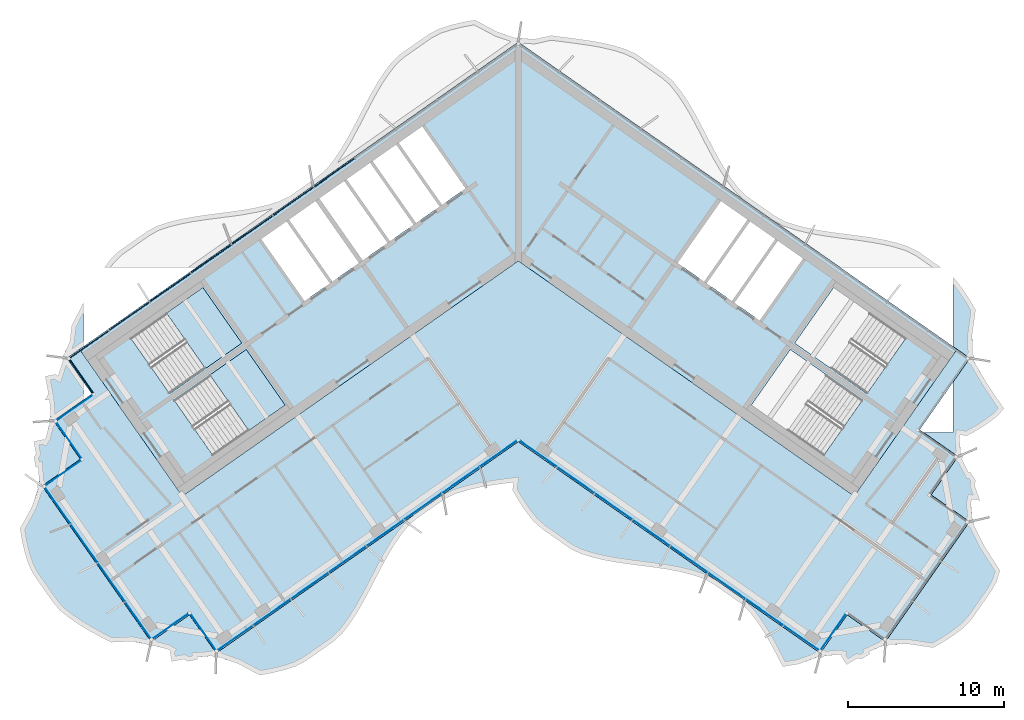
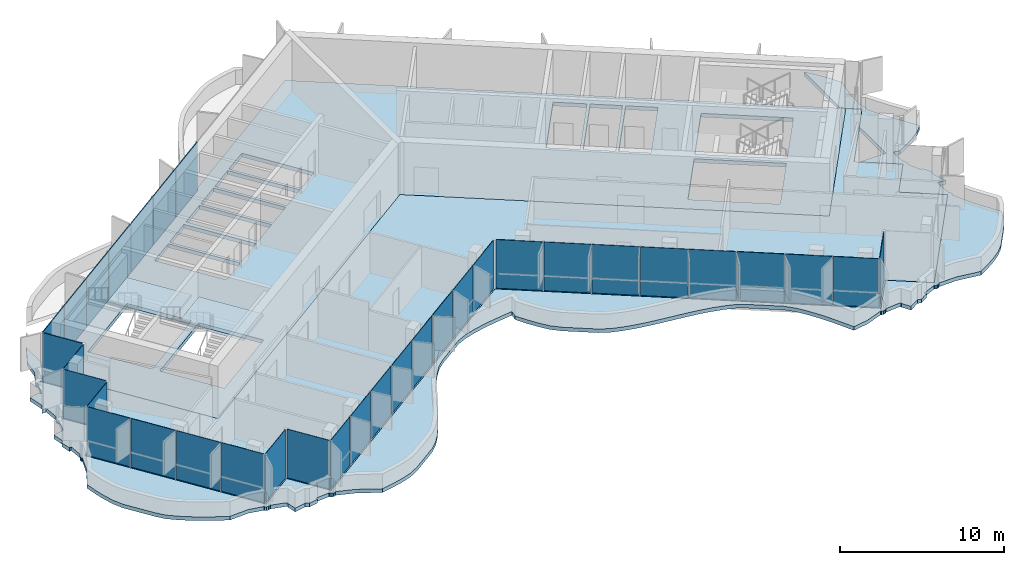
# One storey, part 7 of 18: 34 plates, 5 slabs, 4 elements without a shape of their own.
"""IFC4 building model written with IfcOpenShell, lengths in metres."""

from ifc_helpers import new_model, si_unit, direction, frame, origin, origin_2d, place, context, subcontext, project, spatial, polyline, rectangle, outline, extrude, material, layer, layer_set, type_object, element, aggregate, save


model = new_model("IFC4")

# Units and contexts
model_context = context("Model", 3, precision=1e-05, world=origin(), true_north=direction((0.0, 1.0)))
body_context = subcontext(model_context, "Body", "Model", "MODEL_VIEW")
ifc_project = project(units=[si_unit("LENGTHUNIT", "METRE"), si_unit("AREAUNIT", "SQUARE_METRE"), si_unit("VOLUMEUNIT", "CUBIC_METRE"), si_unit("PLANEANGLEUNIT", "RADIAN"), si_unit("MASSUNIT", "GRAM", prefix="KILO")], contexts=[model_context])

# Site, building, storey
site_placement = place(None, origin())
site = spatial("IfcSite", under=ifc_project, at=site_placement, CompositionType="ELEMENT")
building_placement = place(site_placement, origin())
building = spatial("IfcBuilding", under=site, at=building_placement, Name="Tel Ilan Convention Tower", CompositionType="ELEMENT")
storey_placement = place(building_placement, frame((0.0, 0.0, 299.5)))
storey = spatial("IfcBuildingStorey", under=building, at=storey_placement, Name="L71", CompositionType="ELEMENT", Elevation=299.5)

# Curtain wall, plates
ifc_material_1 = material(Name="Aluminium, bronze anodised", Category="aluminium")
curtain_wall_type_1 = type_object("IfcCurtainWallType", Name="CW2 STICK CURTAIN WALL, SPANDREL PANELS", PredefinedType="NOTDEFINED", material=ifc_material_1)
curtain_wall_1_placement = place(storey_placement, origin())
curtain_wall_1 = element("IfcCurtainWall", 1, at=curtain_wall_1_placement, inside=storey, type_object=curtain_wall_type_1, Name="Curtain wall CW2-54.01", PredefinedType="NOTDEFINED")
ifc_material_2 = material(Name="Aluminium composite panel, bronze anodised", Category="aluminium")
ifc_layer_1 = layer(ifc_material_2, 0.06005859375)
ifc_layer_set_1 = layer_set([ifc_layer_1], Name="CW SPANDREL PANEL 60")
plate_type_1 = type_object("IfcPlateType", Name="CW SPANDREL PANEL 60", PredefinedType="CURTAIN_PANEL", material=ifc_layer_set_1)
plate_1_placement = place(storey_placement, frame((-11.789306640625, 4.44091796875, 0.0), z_axis=(0.0, 0.0, 1.0), x_axis=(-0.819152044289, -0.573576436351, 0.0)))
plate_1 = element("IfcPlate", 2, at=plate_1_placement, type_object=plate_type_1, Name="Spandrel panel", PredefinedType="CURTAIN_PANEL", context=body_context, shape_type="SweptSolid", body=[
    extrude(rectangle(XDim=3.15380859375, YDim=0.06005859375, at=origin_2d()), origin(), (0.0, 0.0, 1.0), 3.6201171875),
])
plate_2_placement = place(storey_placement, frame((-14.422119140625, 2.59765625, 0.0), z_axis=(0.0, 0.0, 1.0), x_axis=(-0.819152044289, -0.573576436351, 0.0)))
plate_2 = element("IfcPlate", 3, at=plate_2_placement, type_object=plate_type_1, Name="Spandrel panel", PredefinedType="CURTAIN_PANEL", context=body_context, shape_type="SweptSolid", body=[
    extrude(rectangle(XDim=3.15380859375, YDim=0.06005859375, at=origin_2d()), origin(), (0.0, 0.0, 1.0), 3.6201171875),
])
plate_3_placement = place(storey_placement, frame((-17.0546875, 0.754150390625, 0.0), z_axis=(0.0, 0.0, 1.0), x_axis=(-0.819152044289, -0.573576436351, 0.0)))
plate_3 = element("IfcPlate", 4, at=plate_3_placement, type_object=plate_type_1, Name="Spandrel panel", PredefinedType="CURTAIN_PANEL", context=body_context, shape_type="SweptSolid", body=[
    extrude(rectangle(XDim=3.15380859375, YDim=0.06005859375, at=origin_2d()), origin(), (0.0, 0.0, 1.0), 3.6201171875),
])
plate_4_placement = place(storey_placement, frame((-19.687255859375, -1.089111328125, 0.0), z_axis=(0.0, 0.0, 1.0), x_axis=(-0.819152044289, -0.573576436351, 0.0)))
plate_4 = element("IfcPlate", 5, at=plate_4_placement, type_object=plate_type_1, Name="Spandrel panel", PredefinedType="CURTAIN_PANEL", context=body_context, shape_type="SweptSolid", body=[
    extrude(rectangle(XDim=3.15380859375, YDim=0.06005859375, at=origin_2d()), origin(), (0.0, 0.0, 1.0), 3.6201171875),
])
plate_5_placement = place(storey_placement, frame((-22.31982421875, -2.9326171875, 0.0), z_axis=(0.0, 0.0, 1.0), x_axis=(-0.819152044289, -0.573576436351, 0.0)))
plate_5 = element("IfcPlate", 6, at=plate_5_placement, type_object=plate_type_1, Name="Spandrel panel", PredefinedType="CURTAIN_PANEL", context=body_context, shape_type="SweptSolid", body=[
    extrude(rectangle(XDim=3.15380859375, YDim=0.06005859375, at=origin_2d()), origin(), (0.0, 0.0, 1.0), 3.6201171875),
])
plate_6_placement = place(storey_placement, frame((-24.95263671875, -4.77587890625, 0.0), z_axis=(0.0, 0.0, 1.0), x_axis=(-0.819152044289, -0.573576436351, 0.0)))
plate_6 = element("IfcPlate", 7, at=plate_6_placement, type_object=plate_type_1, Name="Spandrel panel", PredefinedType="CURTAIN_PANEL", context=body_context, shape_type="SweptSolid", body=[
    extrude(rectangle(XDim=3.15380859375, YDim=0.06005859375, at=origin_2d()), origin(), (0.0, 0.0, 1.0), 3.6201171875),
])
plate_7_placement = place(storey_placement, frame((-27.5400390625, -6.587646484375, 0.0), z_axis=(0.0, 0.0, 1.0), x_axis=(-0.819152044289, -0.573576436351, 0.0)))
plate_7 = element("IfcPlate", 8, at=plate_7_placement, type_object=plate_type_1, Name="Spandrel panel", PredefinedType="CURTAIN_PANEL", context=body_context, shape_type="SweptSolid", body=[
    extrude(rectangle(XDim=3.0439453125, YDim=0.06005859375, at=origin_2d()), origin(), (0.0, 0.0, 1.0), 3.6201171875),
])
plate_8_placement = place(storey_placement, frame((-28.033935546875, -8.60546875, 0.0), z_axis=(0.0, 0.0, 1.0), x_axis=(0.573576436351, -0.819152044289, 0.0)))
plate_8 = element("IfcPlate", 9, at=plate_8_placement, type_object=plate_type_1, Name="Spandrel panel", PredefinedType="CURTAIN_PANEL", context=body_context, shape_type="SweptSolid", body=[
    extrude(rectangle(XDim=2.658935546875, YDim=0.06005859375, at=origin_2d()), origin(), (0.0, 0.0, 1.0), 3.6201171875),
])
aggregate(curtain_wall_1, [plate_1, plate_2, plate_3, plate_4, plate_5, plate_6, plate_7, plate_8])

ifc_material_3 = material(Name="Aluminium, bronze anodised", Category="aluminium")
curtain_wall_type_2 = type_object("IfcCurtainWallType", Name="CW5 STICK CURTAIN WALL, UPPER OFFICE LOW-IRON TINTED GLASS", PredefinedType="NOTDEFINED", material=ifc_material_3)
curtain_wall_2_placement = place(storey_placement, origin())
curtain_wall_2 = element("IfcCurtainWall", 10, at=curtain_wall_2_placement, inside=storey, type_object=curtain_wall_type_2, Name="Curtain wall CW5-54.02", PredefinedType="NOTDEFINED")
ifc_material_4 = material(Name="Glass, low-iron bronze tinted, two-ply", Category="glass")
ifc_layer_2 = layer(ifc_material_4, 0.031982421875)
ifc_layer_set_2 = layer_set([ifc_layer_2], Name="CW UPPER GLASS PANEL 32")
plate_type_2 = type_object("IfcPlateType", Name="CW UPPER GLASS PANEL 32", PredefinedType="CURTAIN_PANEL", material=ifc_layer_set_2)
plate_9_placement = place(storey_placement, frame((-28.473876953125, -10.65966796875, 0.0), z_axis=(0.0, 0.0, 1.0), x_axis=(-0.819152044289, -0.573576436351, 0.0)))
plate_9 = element("IfcPlate", 11, at=plate_9_placement, type_object=plate_type_2, Name="Glass panel", PredefinedType="CURTAIN_PANEL", context=body_context, shape_type="SweptSolid", body=[
    extrude(rectangle(XDim=2.875, YDim=0.028076171875, at=origin_2d()), origin(), (0.0, 0.0, 1.0), 3.6201171875),
])
plate_10_placement = place(storey_placement, frame((-28.832763671875, -12.695068359375, 0.0), z_axis=(0.0, 0.0, 1.0), x_axis=(0.573576436351, -0.819152044289, 0.0)))
plate_10 = element("IfcPlate", 12, at=plate_10_placement, type_object=plate_type_2, Name="Glass panel", PredefinedType="CURTAIN_PANEL", context=body_context, shape_type="SweptSolid", body=[
    extrude(rectangle(XDim=2.875, YDim=0.028076171875, at=origin_2d()), origin(), (0.0, 0.0, 1.0), 3.6201171875),
])
plate_11_placement = place(storey_placement, frame((-29.21044921875, -14.837890625, 0.0), z_axis=(0.0, 0.0, 1.0), x_axis=(-0.819152044289, -0.573576436351, 0.0)))
plate_11 = element("IfcPlate", 13, at=plate_11_placement, type_object=plate_type_2, Name="Glass panel", PredefinedType="CURTAIN_PANEL", context=body_context, shape_type="SweptSolid", body=[
    extrude(rectangle(XDim=2.875, YDim=0.028076171875, at=origin_2d()), origin(), (0.0, 0.0, 1.0), 3.6201171875),
])
plate_12_placement = place(storey_placement, frame((-29.5634765625, -16.8818359375, 0.0), z_axis=(0.0, 0.0, 1.0), x_axis=(0.573576436351, -0.819152044289, 0.0)))
plate_12 = element("IfcPlate", 14, at=plate_12_placement, type_object=plate_type_2, Name="Glass panel", PredefinedType="CURTAIN_PANEL", context=body_context, shape_type="SweptSolid", body=[
    extrude(rectangle(XDim=2.89599609375, YDim=0.028076171875, at=origin_2d()), origin(), (0.0, 0.0, 1.0), 3.6201171875),
])
plate_13_placement = place(storey_placement, frame((-27.841064453125, -19.341796875, 0.0), z_axis=(0.0, 0.0, 1.0), x_axis=(0.573576436351, -0.819152044289, 0.0)))
plate_13 = element("IfcPlate", 15, at=plate_13_placement, type_object=plate_type_2, Name="Glass panel", PredefinedType="CURTAIN_PANEL", context=body_context, shape_type="SweptSolid", body=[
    extrude(rectangle(XDim=2.989990234375, YDim=0.028076171875, at=origin_2d()), origin(), (0.0, 0.0, 1.0), 3.6201171875),
])
plate_14_placement = place(storey_placement, frame((-26.091552734375, -21.84033203125, 0.0), z_axis=(0.0, 0.0, 1.0), x_axis=(0.573576436351, -0.819152044289, 0.0)))
plate_14 = element("IfcPlate", 16, at=plate_14_placement, type_object=plate_type_2, Name="Glass panel", PredefinedType="CURTAIN_PANEL", context=body_context, shape_type="SweptSolid", body=[
    extrude(rectangle(XDim=2.989990234375, YDim=0.028076171875, at=origin_2d()), origin(), (0.0, 0.0, 1.0), 3.6201171875),
])
plate_15_placement = place(storey_placement, frame((-24.369140625, -24.30029296875, 0.0), z_axis=(0.0, 0.0, 1.0), x_axis=(0.573576436351, -0.819152044289, 0.0)))
plate_15 = element("IfcPlate", 17, at=plate_15_placement, type_object=plate_type_2, Name="Glass panel", PredefinedType="CURTAIN_PANEL", context=body_context, shape_type="SweptSolid", body=[
    extrude(rectangle(XDim=2.89599609375, YDim=0.028076171875, at=origin_2d()), origin(), (0.0, 0.0, 1.0), 3.6201171875),
])
plate_16_placement = place(storey_placement, frame((-22.32763671875, -24.667724609375, 0.0), z_axis=(0.0, 0.0, 1.0), x_axis=(0.819152044289, 0.573576436351, 0.0)))
plate_16 = element("IfcPlate", 18, at=plate_16_placement, type_object=plate_type_2, Name="Glass panel", PredefinedType="CURTAIN_PANEL", context=body_context, shape_type="SweptSolid", body=[
    extrude(rectangle(XDim=2.875, YDim=0.028076171875, at=origin_2d()), origin(), (0.0, 0.0, 1.0), 3.6201171875),
])
plate_17_placement = place(storey_placement, frame((-20.184814453125, -25.04541015625, 0.0), z_axis=(0.0, 0.0, 1.0), x_axis=(0.573576436351, -0.819152044289, 0.0)))
plate_17 = element("IfcPlate", 19, at=plate_17_placement, type_object=plate_type_2, Name="Glass panel", PredefinedType="CURTAIN_PANEL", context=body_context, shape_type="SweptSolid", body=[
    extrude(rectangle(XDim=2.875, YDim=0.028076171875, at=origin_2d()), origin(), (0.0, 0.0, 1.0), 3.6201171875),
])
plate_18_placement = place(storey_placement, frame((-18.17919921875, -25.42529296875, 0.0), z_axis=(0.0, 0.0, 1.0), x_axis=(0.819152044289, 0.573576436351, 0.0)))
plate_18 = element("IfcPlate", 20, at=plate_18_placement, type_object=plate_type_2, Name="Glass panel", PredefinedType="CURTAIN_PANEL", context=body_context, shape_type="SweptSolid", body=[
    extrude(rectangle(XDim=2.802001953125, YDim=0.028076171875, at=origin_2d()), origin(), (0.0, 0.0, 1.0), 3.6201171875),
])
plate_19_placement = place(storey_placement, frame((-15.79638671875, -23.7568359375, 0.0), z_axis=(0.0, 0.0, 1.0), x_axis=(0.819152044289, 0.573576436351, 0.0)))
plate_19 = element("IfcPlate", 21, at=plate_19_placement, type_object=plate_type_2, Name="Glass panel", PredefinedType="CURTAIN_PANEL", context=body_context, shape_type="SweptSolid", body=[
    extrude(rectangle(XDim=2.89599609375, YDim=0.028076171875, at=origin_2d()), origin(), (0.0, 0.0, 1.0), 3.6201171875),
])
plate_20_placement = place(storey_placement, frame((-13.375, -22.061279296875, 0.0), z_axis=(0.0, 0.0, 1.0), x_axis=(0.819152044289, 0.573576436351, 0.0)))
plate_20 = element("IfcPlate", 22, at=plate_20_placement, type_object=plate_type_2, Name="Glass panel", PredefinedType="CURTAIN_PANEL", context=body_context, shape_type="SweptSolid", body=[
    extrude(rectangle(XDim=2.89599609375, YDim=0.028076171875, at=origin_2d()), origin(), (0.0, 0.0, 1.0), 3.6201171875),
])
plate_21_placement = place(storey_placement, frame((-10.95361328125, -20.365966796875, 0.0), z_axis=(0.0, 0.0, 1.0), x_axis=(0.819152044289, 0.573576436351, 0.0)))
plate_21 = element("IfcPlate", 23, at=plate_21_placement, type_object=plate_type_2, Name="Glass panel", PredefinedType="CURTAIN_PANEL", context=body_context, shape_type="SweptSolid", body=[
    extrude(rectangle(XDim=2.89599609375, YDim=0.028076171875, at=origin_2d()), origin(), (0.0, 0.0, 1.0), 3.6201171875),
])
plate_22_placement = place(storey_placement, frame((-8.5322265625, -18.67041015625, 0.0), z_axis=(0.0, 0.0, 1.0), x_axis=(0.819152044289, 0.573576436351, 0.0)))
plate_22 = element("IfcPlate", 24, at=plate_22_placement, type_object=plate_type_2, Name="Glass panel", PredefinedType="CURTAIN_PANEL", context=body_context, shape_type="SweptSolid", body=[
    extrude(rectangle(XDim=2.89599609375, YDim=0.028076171875, at=origin_2d()), origin(), (0.0, 0.0, 1.0), 3.6201171875),
])
plate_23_placement = place(storey_placement, frame((-6.11083984375, -16.974853515625, 0.0), z_axis=(0.0, 0.0, 1.0), x_axis=(0.819152044289, 0.573576436351, 0.0)))
plate_23 = element("IfcPlate", 25, at=plate_23_placement, type_object=plate_type_2, Name="Glass panel", PredefinedType="CURTAIN_PANEL", context=body_context, shape_type="SweptSolid", body=[
    extrude(rectangle(XDim=2.89599609375, YDim=0.028076171875, at=origin_2d()), origin(), (0.0, 0.0, 1.0), 3.6201171875),
])
plate_24_placement = place(storey_placement, frame((-3.689453125, -15.279541015625, 0.0), z_axis=(0.0, 0.0, 1.0), x_axis=(0.819152044289, 0.573576436351, 0.0)))
plate_24 = element("IfcPlate", 26, at=plate_24_placement, type_object=plate_type_2, Name="Glass panel", PredefinedType="CURTAIN_PANEL", context=body_context, shape_type="SweptSolid", body=[
    extrude(rectangle(XDim=2.89599609375, YDim=0.028076171875, at=origin_2d()), origin(), (0.0, 0.0, 1.0), 3.6201171875),
])
plate_25_placement = place(storey_placement, frame((-1.2685546875, -13.584228515625, 0.0), z_axis=(0.0, 0.0, 1.0), x_axis=(0.819152044289, 0.573576436351, 0.0)))
plate_25 = element("IfcPlate", 27, at=plate_25_placement, type_object=plate_type_2, Name="Glass panel", PredefinedType="CURTAIN_PANEL", context=body_context, shape_type="SweptSolid", body=[
    extrude(rectangle(XDim=2.89501953125, YDim=0.028076171875, at=origin_2d()), origin(), (0.0, 0.0, 1.0), 3.6201171875),
])
plate_26_placement = place(storey_placement, frame((1.280029296875, -13.59228515625, 0.0), z_axis=(0.0, 0.0, 1.0), x_axis=(0.819152044289, -0.573576436351, 0.0)))
plate_26 = element("IfcPlate", 28, at=plate_26_placement, type_object=plate_type_2, Name="Glass panel", PredefinedType="CURTAIN_PANEL", context=body_context, shape_type="SweptSolid", body=[
    extrude(rectangle(XDim=2.866943359375, YDim=0.028076171875, at=origin_2d()), origin(), (0.0, 0.0, 1.0), 3.6201171875),
])
plate_27_placement = place(storey_placement, frame((3.689453125, -15.279541015625, 0.0), z_axis=(0.0, 0.0, 1.0), x_axis=(0.819152044289, -0.573576436351, 0.0)))
plate_27 = element("IfcPlate", 29, at=plate_27_placement, type_object=plate_type_2, Name="Glass panel", PredefinedType="CURTAIN_PANEL", context=body_context, shape_type="SweptSolid", body=[
    extrude(rectangle(XDim=2.89599609375, YDim=0.028076171875, at=origin_2d()), origin(), (0.0, 0.0, 1.0), 3.6201171875),
])
plate_28_placement = place(storey_placement, frame((6.11083984375, -16.974853515625, 0.0), z_axis=(0.0, 0.0, 1.0), x_axis=(0.819152044289, -0.573576436351, 0.0)))
plate_28 = element("IfcPlate", 30, at=plate_28_placement, type_object=plate_type_2, Name="Glass panel", PredefinedType="CURTAIN_PANEL", context=body_context, shape_type="SweptSolid", body=[
    extrude(rectangle(XDim=2.89599609375, YDim=0.028076171875, at=origin_2d()), origin(), (0.0, 0.0, 1.0), 3.6201171875),
])
plate_29_placement = place(storey_placement, frame((8.5322265625, -18.67041015625, 0.0), z_axis=(0.0, 0.0, 1.0), x_axis=(0.819152044289, -0.573576436351, 0.0)))
plate_29 = element("IfcPlate", 31, at=plate_29_placement, type_object=plate_type_2, Name="Glass panel", PredefinedType="CURTAIN_PANEL", context=body_context, shape_type="SweptSolid", body=[
    extrude(rectangle(XDim=2.89599609375, YDim=0.028076171875, at=origin_2d()), origin(), (0.0, 0.0, 1.0), 3.6201171875),
])
plate_30_placement = place(storey_placement, frame((10.95361328125, -20.365966796875, 0.0), z_axis=(0.0, 0.0, 1.0), x_axis=(0.819152044289, -0.573576436351, 0.0)))
plate_30 = element("IfcPlate", 32, at=plate_30_placement, type_object=plate_type_2, Name="Glass panel", PredefinedType="CURTAIN_PANEL", context=body_context, shape_type="SweptSolid", body=[
    extrude(rectangle(XDim=2.89599609375, YDim=0.028076171875, at=origin_2d()), origin(), (0.0, 0.0, 1.0), 3.6201171875),
])
plate_31_placement = place(storey_placement, frame((13.375, -22.061279296875, 0.0), z_axis=(0.0, 0.0, 1.0), x_axis=(0.819152044289, -0.573576436351, 0.0)))
plate_31 = element("IfcPlate", 33, at=plate_31_placement, type_object=plate_type_2, Name="Glass panel", PredefinedType="CURTAIN_PANEL", context=body_context, shape_type="SweptSolid", body=[
    extrude(rectangle(XDim=2.89599609375, YDim=0.028076171875, at=origin_2d()), origin(), (0.0, 0.0, 1.0), 3.6201171875),
])
plate_32_placement = place(storey_placement, frame((15.79638671875, -23.7568359375, 0.0), z_axis=(0.0, 0.0, 1.0), x_axis=(0.819152044289, -0.573576436351, 0.0)))
plate_32 = element("IfcPlate", 34, at=plate_32_placement, type_object=plate_type_2, Name="Glass panel", PredefinedType="CURTAIN_PANEL", context=body_context, shape_type="SweptSolid", body=[
    extrude(rectangle(XDim=2.89599609375, YDim=0.028076171875, at=origin_2d()), origin(), (0.0, 0.0, 1.0), 3.6201171875),
])
plate_33_placement = place(storey_placement, frame((18.17919921875, -25.42529296875, 0.0), z_axis=(0.0, 0.0, 1.0), x_axis=(0.819152044289, -0.573576436351, 0.0)))
plate_33 = element("IfcPlate", 35, at=plate_33_placement, type_object=plate_type_2, Name="Glass panel", PredefinedType="CURTAIN_PANEL", context=body_context, shape_type="SweptSolid", body=[
    extrude(rectangle(XDim=2.802001953125, YDim=0.028076171875, at=origin_2d()), origin(), (0.0, 0.0, 1.0), 3.6201171875),
])
plate_34_placement = place(storey_placement, frame((20.184814453125, -25.04541015625, 0.0), z_axis=(0.0, 0.0, 1.0), x_axis=(0.573576436351, 0.819152044289, 0.0)))
plate_34 = element("IfcPlate", 36, at=plate_34_placement, type_object=plate_type_2, Name="Glass panel", PredefinedType="CURTAIN_PANEL", context=body_context, shape_type="SweptSolid", body=[
    extrude(rectangle(XDim=2.875, YDim=0.028076171875, at=origin_2d()), origin(), (0.0, 0.0, 1.0), 3.6201171875),
])
aggregate(curtain_wall_2, [plate_9, plate_10, plate_11, plate_12, plate_13, plate_14, plate_15, plate_16, plate_17, plate_18, plate_19, plate_20, plate_21, plate_22, plate_23, plate_24, plate_25, plate_26, plate_27, plate_28, plate_29, plate_30, plate_31, plate_32, plate_33, plate_34])

# Stair, slab
ifc_material_5 = material(Name="Concrete C40/50", Category="concrete")
stair_type = type_object("IfcStairType", Name="Pressurised Exit Stair 22 risers 177 mm", PredefinedType="HALF_TURN_STAIR", material=ifc_material_5)
stair_1_placement = place(storey_placement, origin())
stair_1 = element("IfcStair", 37, at=stair_1_placement, inside=storey, type_object=stair_type, Name="L71 Pressurised Stair S1", PredefinedType="HALF_TURN_STAIR")
ifc_material_6 = material(Name="Concrete C40/50", Category="concrete")
ifc_layer_3 = layer(ifc_material_6, 0.199951171875)
ifc_layer_set_3 = layer_set([ifc_layer_3], Name="Concrete Stair Landing 200 mm C40/50")
slab_type_1 = type_object("IfcSlabType", Name="Concrete Stair Landing 200 mm", PredefinedType="LANDING", material=ifc_layer_set_3)
slab_1_placement = place(storey_placement, frame((0.0, 0.0, 1.75)))
slab_1 = element("IfcSlab", 38, at=slab_1_placement, type_object=slab_type_1, Name="S1 landing 1", PredefinedType="LANDING", context=body_context, shape_type="SweptSolid", body=[
    extrude(outline(polyline([(-20.066650390625, -8.130126953125), (-17.7314453125, -6.494873046875), (-20.226318359375, -2.931640625), (-22.561767578125, -4.566650390625), (-20.066650390625, -8.130126953125)])), origin(), (0.0, 0.0, 1.0), 0.199951171875),
])
aggregate(stair_1, [slab_1])

stair_2_placement = place(storey_placement, origin())
stair_2 = element("IfcStair", 39, at=stair_2_placement, inside=storey, type_object=stair_type, Name="L71 Pressurised Stair S2", PredefinedType="HALF_TURN_STAIR")
slab_2_placement = place(storey_placement, frame((0.0, 0.0, 1.75)))
slab_2 = element("IfcSlab", 40, at=slab_2_placement, type_object=slab_type_1, Name="S2 landing 1", PredefinedType="LANDING", context=body_context, shape_type="SweptSolid", body=[
    extrude(outline(polyline([(-17.28466796875, -12.10302734375), (-14.949462890625, -10.4677734375), (-17.444580078125, -6.904541015625), (-19.77978515625, -8.53955078125), (-17.28466796875, -12.10302734375)])), origin(), (0.0, 0.0, 1.0), 0.199951171875),
])
aggregate(stair_2, [slab_2])

# Slabs
ifc_material_7 = material(Name="Concrete C40/50", Category="concrete")
ifc_layer_4 = layer(ifc_material_7, 0.280029296875)
ifc_layer_set_4 = layer_set([ifc_layer_4], Name="Core Floor Slab 280 mm C40/50")
slab_type_2 = type_object("IfcSlabType", Name="Core Floor Slab 280 mm C40/50", PredefinedType="FLOOR", material=ifc_layer_set_4)
slab_3_placement = place(storey_placement, frame((0.0, 0.0, -0.280029296875)))
element("IfcSlab", 41, at=slab_3_placement, inside=storey, type_object=slab_type_2, Name="L71 core floor 1", PredefinedType="FLOOR", context=body_context, shape_type="SweptSolid", body=[
    extrude(outline(polyline([(0.0, 12.818115234375), (28.1396484375, -6.885498046875), (21.54345703125, -16.3056640625), (0.0, -1.220703125), (-21.54345703125, -16.3056640625), (-28.1396484375, -6.885498046875), (-13.013916015625, 3.705810546875), (-6.48876953125, 8.274658203125), (-4.6650390625, 9.5517578125), (-0.2412109375, 12.6494140625), (0.0, 12.818115234375)]), holes=[polyline([(-17.444580078125, -6.904541015625), (-22.072021484375, -10.144775390625), (-19.5771484375, -13.7080078125), (-14.949462890625, -10.4677734375), (-17.444580078125, -6.904541015625)]), polyline([(-17.7314453125, -6.494873046875), (-20.226318359375, -2.931640625), (-24.85400390625, -6.171875), (-22.35888671875, -9.735107421875), (-17.7314453125, -6.494873046875)]), polyline([(-14.864990234375, 1.310791015625), (-16.48291015625, 0.177978515625), (-13.701171875, -3.794921875), (-12.083251953125, -2.662109375), (-14.864990234375, 1.310791015625)]), polyline([(-14.701416015625, 1.425537109375), (-11.91943359375, -2.54736328125), (-10.2197265625, -1.357421875), (-13.001708984375, 2.615478515625), (-14.701416015625, 1.425537109375)]), polyline([(-11.168701171875, 3.89892578125), (-12.755859375, 2.78759765625), (-9.97412109375, -1.185302734375), (-8.386962890625, -0.073974609375), (-11.168701171875, 3.89892578125)]), polyline([(-9.499755859375, 5.067626953125), (-11.0048828125, 4.013671875), (-8.222900390625, 0.040771484375), (-6.718017578125, 1.0947265625), (-9.499755859375, 5.067626953125)]), polyline([(-9.3359375, 5.182373046875), (-6.553955078125, 1.20947265625), (-5.048828125, 2.263427734375), (-7.830810546875, 6.236328125), (-9.3359375, 5.182373046875)]), polyline([(17.444580078125, -6.904541015625), (14.949462890625, -10.4677734375), (19.5771484375, -13.7080078125), (22.072021484375, -10.144775390625), (17.444580078125, -6.904541015625)]), polyline([(20.226318359375, -2.931640625), (17.7314453125, -6.494873046875), (22.35888671875, -9.735107421875), (24.85400390625, -6.171875), (20.226318359375, -2.931640625)]), polyline([(15.48291015625, -5.04248046875), (18.2646484375, -1.069580078125), (16.646728515625, 0.063232421875), (13.864990234375, -3.90966796875), (15.48291015625, -5.04248046875)]), polyline([(13.701171875, -3.794921875), (16.48291015625, 0.177978515625), (14.864990234375, 1.310791015625), (12.083251953125, -2.662109375), (13.701171875, -3.794921875)]), polyline([(11.91943359375, -2.54736328125), (14.701416015625, 1.425537109375), (13.001708984375, 2.615478515625), (10.2197265625, -1.357421875), (11.91943359375, -2.54736328125)]), polyline([(-6.16162109375, 7.405029296875), (-7.666748046875, 6.35107421875), (-4.885009765625, 2.378173828125), (-3.3798828125, 3.43212890625), (-6.16162109375, 7.405029296875)])]), origin(), (0.0, 0.0, 1.0), 0.280029296875),
])
ifc_material_8 = material(Name="Concrete C40/50", Category="concrete")
ifc_layer_5 = layer(ifc_material_8, 0.280029296875)
ifc_layer_set_5 = layer_set([ifc_layer_5], Name="Edge Ledge Slab 280 mm C40/50")
slab_type_3 = type_object("IfcSlabType", Name="Edge Ledge Slab 280 mm C40/50", PredefinedType="FLOOR", material=ifc_layer_set_5)
slab_4_placement = place(storey_placement, frame((0.0, 0.0, -0.280029296875)))
element("IfcSlab", 42, at=slab_4_placement, inside=storey, type_object=slab_type_3, Name="L71 edge ledge 1", PredefinedType="FLOOR", context=body_context, shape_type="SweptSolid", body=[
    extrude(outline(polyline([(-21.201171875, -26.90673828125), (-21.43505859375, -26.76416015625), (-22.220703125, -26.912109375), (-22.353515625, -26.272705078125), (-22.322998046875, -26.222900390625), (-22.47900390625, -26.1279296875), (-23.377197265625, -25.89111328125), (-23.380615234375, -25.88623046875), (-23.4345703125, -25.92236328125), (-23.54931640625, -25.9453125), (-23.664306640625, -25.92236328125), (-23.761474609375, -25.857421875), (-23.790283203125, -25.81396484375), (-23.795166015625, -25.8173828125), (-24.760498046875, -25.6171875), (-26.1044921875, -25.68212890625), (-26.829833984375, -25.31396484375), (-27.530029296875, -24.92822265625), (-28.201171875, -24.52197265625), (-28.832275390625, -24.087890625), (-29.4140625, -23.619140625), (-29.873291015625, -23.064697265625), (-31.108154296875, -21.301025390625), (-31.42236328125, -20.64501953125), (-31.646484375, -19.92578125), (-31.82470703125, -19.17431640625), (-31.955078125, -18.389892578125), (-31.176513671875, -16.968505859375), (-30.792724609375, -15.82373046875), (-30.7880859375, -15.8203125), (-30.82421875, -15.766357421875), (-30.846923828125, -15.651611328125), (-30.82421875, -15.536865234375), (-30.759033203125, -15.439453125), (-30.7158203125, -15.410400390625), (-30.718994140625, -15.40576171875), (-30.792236328125, -14.43359375), (-30.93896484375, -14.461181640625), (-31.07177734375, -13.821533203125), (-30.92919921875, -13.587646484375), (-31.077392578125, -12.802001953125), (-30.437744140625, -12.66943359375), (-30.387939453125, -12.69970703125), (-30.29296875, -12.5439453125), (-30.055908203125, -11.6455078125), (-30.05126953125, -11.64208984375), (-30.08740234375, -11.588134765625), (-30.1103515625, -11.473388671875), (-30.08740234375, -11.358642578125), (-30.0224609375, -11.26123046875), (-29.97900390625, -11.232421875), (-29.982421875, -11.227783203125), (-30.06494140625, -10.129150390625), (-30.35888671875, -10.1484375), (-30.1298828125, -9.741455078125), (-30.340576171875, -8.623779296875), (-29.700927734375, -8.4912109375), (-29.5205078125, -8.601318359375), (-29.20458984375, -7.631103515625), (-29.199951171875, -7.6279296875), (-29.236083984375, -7.57373046875), (-29.2587890625, -7.458984375), (-29.236083984375, -7.34423828125), (-29.1708984375, -7.246826171875), (-29.127685546875, -7.218017578125), (-29.130859375, -7.21337890625), (-28.772216796875, -6.441650390625), (-28.635009765625, -5.353515625), (-28.252685546875, -4.614990234375), (-27.875, -3.881103515625), (-27.875, -6.7001953125), (-28.958740234375, -7.458984375), (-27.875, -9.007080078125), (-27.875, -10.1181640625), (-29.810302734375, -11.473388671875), (-28.089599609375, -13.930908203125), (-30.547119140625, -15.651611328125), (-23.54931640625, -25.645263671875), (-21.091796875, -23.924560546875), (-19.37109375, -26.382080078125), (0.0, -12.818115234375), (19.37109375, -26.382080078125), (21.091796875, -23.924560546875), (23.54931640625, -25.645263671875), (28.94091796875, -17.9453125), (26.4833984375, -16.224609375), (28.2041015625, -13.76708984375), (26.023681640625, -12.239990234375), (27.875, -12.239990234375), (27.875, -9.007080078125), (28.958740234375, -7.458984375), (27.875, -6.7001953125), (27.875, -2.269287109375), (28.0107421875, -2.392578125), (28.48388671875, -3.001220703125), (28.922119140625, -3.6591796875), (29.331298828125, -4.35888671875), (29.109619140625, -5.95947265625), (29.130859375, -7.21337890625), (29.127685546875, -7.218017578125), (29.1708984375, -7.246826171875), (29.236083984375, -7.34423828125), (29.2587890625, -7.458984375), (29.236083984375, -7.57373046875), (29.199951171875, -7.6279296875), (29.20458984375, -7.631103515625), (30.056640625, -9.082275390625), (31.151123046875, -10.703125), (30.66748046875, -11.218994140625), (30.077880859375, -11.660888671875), (29.445068359375, -12.072265625), (28.752685546875, -12.44189453125), (28.33642578125, -12.373291015625), (28.291748046875, -12.595947265625), (28.376220703125, -13.521240234375), (28.373046875, -13.52587890625), (28.41650390625, -13.554931640625), (28.4814453125, -13.652099609375), (28.504150390625, -13.76708984375), (28.4814453125, -13.8818359375), (28.4453125, -13.935791015625), (28.449951171875, -13.939208984375), (28.889404296875, -14.805419921875), (28.979736328125, -14.751708984375), (29.3232421875, -15.30712890625), (29.26171875, -15.613037109375), (29.61181640625, -16.583740234375), (29.080078125, -16.5166015625), (29.028564453125, -16.774169921875), (29.113037109375, -17.699462890625), (29.10986328125, -17.7041015625), (29.153076171875, -17.733154296875), (29.218017578125, -17.830322265625), (29.240966796875, -17.9453125), (29.218017578125, -18.06005859375), (29.181884765625, -18.114013671875), (29.186767578125, -18.1171875), (29.872314453125, -19.47998046875), (30.8984375, -21.081298828125), (30.669189453125, -21.803466796875), (30.31298828125, -22.436767578125), (29.068603515625, -24.213623046875), (28.5625, -24.741943359375), (27.960693359375, -25.203369140625), (27.311767578125, -25.631591796875), (26.617919921875, -26.0283203125), (25.015625, -25.789306640625), (23.795166015625, -25.8173828125), (23.790283203125, -25.81396484375), (23.761474609375, -25.857421875), (23.664306640625, -25.92236328125), (23.54931640625, -25.9453125), (23.4345703125, -25.92236328125), (23.380615234375, -25.88623046875), (23.377197265625, -25.89111328125), (22.488525390625, -26.292236328125), (22.564697265625, -26.4208984375), (22.00927734375, -26.76416015625), (21.740478515625, -26.710205078125), (21.052978515625, -27.1181640625), (20.709716796875, -26.5625), (20.72119140625, -26.50537109375), (20.542236328125, -26.469482421875), (19.616943359375, -26.553955078125), (19.6123046875, -26.55078125), (19.583251953125, -26.593994140625), (19.486083984375, -26.6591796875), (19.37109375, -26.681884765625), (19.25634765625, -26.6591796875), (19.202392578125, -26.623046875), (19.19921875, -26.627685546875), (17.98388671875, -27.074951171875), (16.96240234375, -27.2451171875), (16.57958984375, -26.50341796875), (16.18994140625, -25.771728515625), (15.782958984375, -25.064453125), (15.349853515625, -24.39453125), (14.88330078125, -23.7724609375), (14.356201171875, -23.23681640625), (12.540283203125, -21.965087890625), (11.8955078125, -21.59765625), (11.16455078125, -21.353271484375), (10.3974609375, -21.159912109375), (9.601806640625, -21.008056640625), (8.785888671875, -20.885009765625), (7.958740234375, -20.777587890625), (7.130615234375, -20.672119140625), (6.311279296875, -20.553955078125), (5.510009765625, -20.40966796875), (4.73583984375, -20.22705078125), (3.99609375, -19.9951171875), (3.325927734375, -19.663818359375), (1.510009765625, -18.39208984375), (0.956298828125, -17.894287109375), (0.481201171875, -17.28466796875), (0.041015625, -16.624755859375), (-0.370361328125, -15.923583984375), (-0.30078125, -15.41357421875), (-0.840576171875, -15.48291015625), (-1.66162109375, -15.598876953125), (-2.465087890625, -15.739501953125), (-3.242919921875, -15.9169921875), (-3.987060546875, -16.142822265625), (-4.670654296875, -16.454833984375), (-6.48681640625, -17.726318359375), (-7.052734375, -18.206787109375), (-7.532470703125, -18.809814453125), (-7.976318359375, -19.464599609375), (-8.39111328125, -20.160400390625), (-8.785888671875, -20.885009765625), (-9.16943359375, -21.62548828125), (-9.552001953125, -22.367431640625), (-9.943359375, -23.09716796875), (-10.352783203125, -23.800537109375), (-10.789306640625, -24.4658203125), (-11.26025390625, -25.08154296875), (-11.80078125, -25.597900390625), (-13.61669921875, -26.86962890625), (-14.274169921875, -27.219482421875), (-15.009521484375, -27.45751953125), (-15.780029296875, -27.645263671875), (-16.57958984375, -27.7919921875), (-18.00830078125, -27.0400390625), (-19.19921875, -26.627685546875), (-19.202392578125, -26.623046875), (-19.25634765625, -26.6591796875), (-19.37109375, -26.681884765625), (-19.486083984375, -26.6591796875), (-19.583251953125, -26.593994140625), (-19.6123046875, -26.55078125), (-19.616943359375, -26.553955078125), (-20.58935546875, -26.627197265625), (-20.5615234375, -26.77392578125), (-21.201171875, -26.90673828125)])), origin(), (0.0, 0.0, 1.0), 0.280029296875),
])
ifc_material_9 = material(Name="Concrete C40/50", Category="concrete")
ifc_layer_6 = layer(ifc_material_9, 0.280029296875)
ifc_layer_set_6 = layer_set([ifc_layer_6], Name="Flat Plate Floor Slab 280 mm C40/50")
slab_type_4 = type_object("IfcSlabType", Name="Flat Plate Floor Slab 280 mm C40/50", PredefinedType="FLOOR", material=ifc_layer_set_6)
slab_5_placement = place(storey_placement, frame((0.0, 0.0, -0.280029296875)))
element("IfcSlab", 43, at=slab_5_placement, inside=storey, type_object=slab_type_4, Name="L71 floor slab", PredefinedType="FLOOR", context=body_context, shape_type="SweptSolid", body=[
    extrude(outline(polyline([(-21.54345703125, -16.3056640625), (0.0, -1.220703125), (21.54345703125, -16.3056640625), (28.1396484375, -6.885498046875), (28.958740234375, -7.458984375), (25.746826171875, -12.04638671875), (28.2041015625, -13.76708984375), (26.4833984375, -16.224609375), (28.94091796875, -17.9453125), (23.54931640625, -25.645263671875), (21.091796875, -23.924560546875), (19.37109375, -26.382080078125), (0.0, -12.818115234375), (-19.37109375, -26.382080078125), (-21.091796875, -23.924560546875), (-23.54931640625, -25.645263671875), (-30.547119140625, -15.651611328125), (-28.089599609375, -13.930908203125), (-29.810302734375, -11.473388671875), (-27.352783203125, -9.752685546875), (-28.958740234375, -7.458984375), (-28.1396484375, -6.885498046875), (-21.54345703125, -16.3056640625)])), origin(), (0.0, 0.0, 1.0), 0.280029296875),
])

save(model, "model.ifc")
